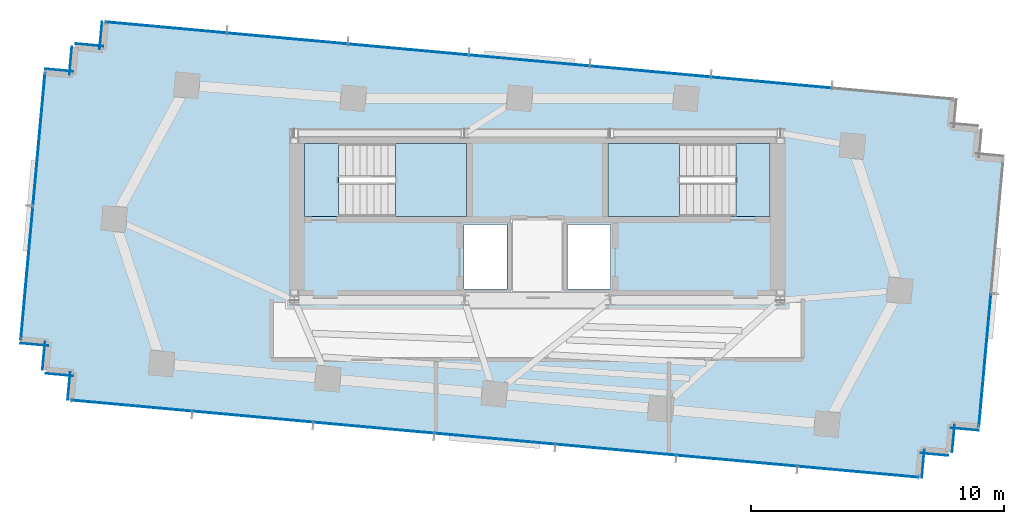
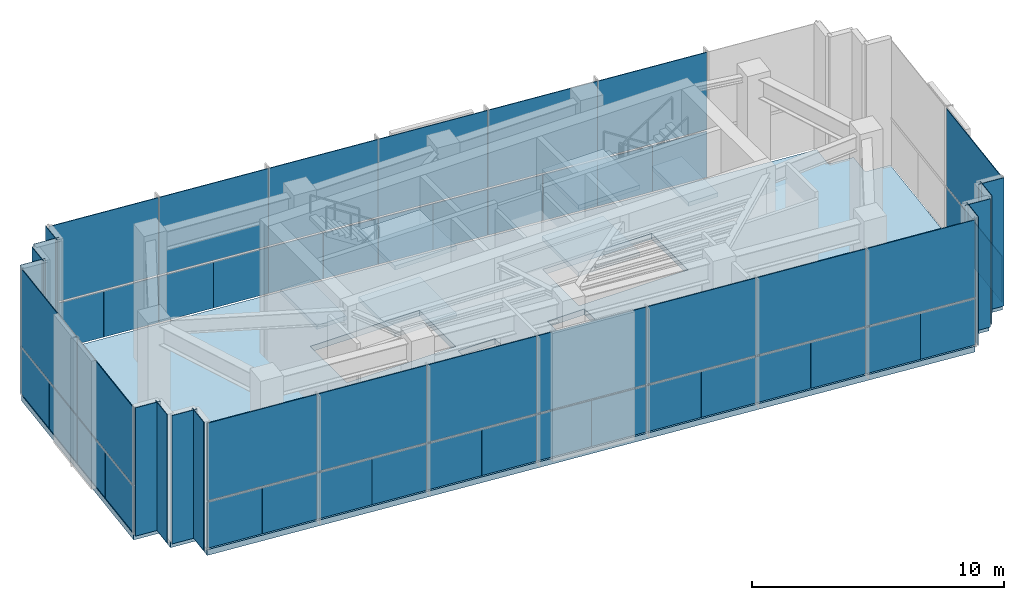
# One storey, part 14 of 18: 60 plates, 7 slabs, 6 elements without a shape of their own.
"""IFC4 building model written with IfcOpenShell, lengths in metres."""

from ifc_helpers import new_model, si_unit, direction, frame, origin, origin_2d, place, context, subcontext, project, spatial, polyline, rectangle, outline, extrude, source, transform, mapped, material, layer, layer_set, type_object, type_shapes, element, aggregate, save


model = new_model("IFC4")

# Units and contexts
model_context = context("Model", 3, precision=1e-05, world=origin(), true_north=direction((0.0, 1.0)))
body_context = subcontext(model_context, "Body", "Model", "MODEL_VIEW")
ifc_project = project(units=[si_unit("LENGTHUNIT", "METRE"), si_unit("AREAUNIT", "SQUARE_METRE"), si_unit("VOLUMEUNIT", "CUBIC_METRE"), si_unit("PLANEANGLEUNIT", "RADIAN"), si_unit("MASSUNIT", "GRAM", prefix="KILO")], contexts=[model_context])

# Site, building, storey
site_placement = place(None, origin())
site = spatial("IfcSite", under=ifc_project, at=site_placement, CompositionType="ELEMENT")
building_placement = place(site_placement, origin())
building = spatial("IfcBuilding", under=site, at=building_placement, Name="Astriad Promenade Condominiums", CompositionType="ELEMENT")
storey_placement = place(building_placement, frame((0.0, 0.0, 277.300048828125)))
storey = spatial("IfcBuildingStorey", under=building, at=storey_placement, Name="L78", CompositionType="ELEMENT", Elevation=277.300048828125)

# Slab
ifc_material_1 = material(Name="Concrete C50/60", Category="concrete")
ifc_layer_1 = layer(ifc_material_1, 0.280029296875)
ifc_layer_set_1 = layer_set([ifc_layer_1], Name="Concrete C50/60")
slab_type_1 = type_object("IfcSlabType", Name="CONCRETE CROWN FLOOR SLAB 280", PredefinedType="FLOOR", material=ifc_layer_set_1)
slab_1_placement = place(storey_placement, frame((0.0, 0.0, -0.280029296875)))
element("IfcSlab", 1, at=slab_1_placement, inside=storey, type_object=slab_type_1, Name="Structural Floor Slab (L78)", PredefinedType="FLOOR", context=body_context, shape_type="SweptSolid", body=[
    extrude(outline(polyline([(17.58935546875, 13.45361328125), (51.051025390625, 10.408203125), (51.15087890625, 11.503662109375), (52.246337890625, 11.404052734375), (52.345947265625, 12.49951171875), (53.44140625, 12.39990234375), (54.402099609375, 22.956298828125), (53.306640625, 23.055908203125), (53.406494140625, 24.1513671875), (52.310791015625, 24.2509765625), (52.41064453125, 25.346435546875), (18.948974609375, 28.391845703125), (18.84912109375, 27.29638671875), (17.753662109375, 27.39599609375), (17.654052734375, 26.300537109375), (16.55859375, 26.400146484375), (15.597900390625, 15.84375), (16.693359375, 15.744140625), (16.593505859375, 14.648681640625), (17.689208984375, 14.549072265625), (17.58935546875, 13.45361328125)]), holes=[polyline([(28.175048828125, 20.699951171875), (33.175048828125, 20.699951171875), (33.175048828125, 23.60009765625), (28.175048828125, 23.60009765625), (28.175048828125, 20.699951171875)]), polyline([(38.824951171875, 20.699951171875), (43.824951171875, 20.699951171875), (43.824951171875, 23.60009765625), (38.824951171875, 23.60009765625), (38.824951171875, 20.699951171875)]), polyline([(33.10009765625, 17.85009765625), (34.800048828125, 17.85009765625), (34.800048828125, 20.39990234375), (33.10009765625, 20.39990234375), (33.10009765625, 17.85009765625)]), polyline([(37.199951171875, 17.85009765625), (38.89990234375, 17.85009765625), (38.89990234375, 20.39990234375), (37.199951171875, 20.39990234375), (37.199951171875, 17.85009765625)])]), origin(), (0.0, 0.0, 1.0), 0.280029296875),
])

# Stair, slabs
stair_type = type_object("IfcStairType", Name="STR-CORE-1350", PredefinedType="HALF_TURN_STAIR", material=ifc_material_1)
stair_1_placement = place(storey_placement, origin())
stair_1 = element("IfcStair", 2, at=stair_1_placement, inside=storey, type_object=stair_type, Name="L78 Enclosed Core Exit Stair ST-1", PredefinedType="HALF_TURN_STAIR")
ifc_layer_2 = layer(ifc_material_1, 0.219970703125)
ifc_layer_set_2 = layer_set([ifc_layer_2], Name="Concrete C50/60")
slab_type_2 = type_object("IfcSlabType", Name="SLB-LANDING-220", PredefinedType="LANDING", material=ifc_layer_set_2)
slab_2_placement = place(storey_placement, frame((0.0, 0.0, 1.425048828125)))
slab_2 = element("IfcSlab", 3, at=slab_2_placement, type_object=slab_type_2, Name="ST-1 landing 1", PredefinedType="LANDING", context=body_context, shape_type="SweptSolid", body=[
    extrude(outline(polyline([(30.389892578125, 20.699951171875), (33.199951171875, 20.699951171875), (33.199951171875, 23.60009765625), (30.389892578125, 23.60009765625), (30.389892578125, 20.699951171875)])), origin(), (0.0, 0.0, 1.0), 0.199951171875),
])
slab_3_placement = place(storey_placement, frame((0.0, 0.0, 3.050048828125)))
slab_3 = element("IfcSlab", 4, at=slab_3_placement, type_object=slab_type_2, Name="ST-1 landing 2", PredefinedType="LANDING", context=body_context, shape_type="SweptSolid", body=[
    extrude(outline(polyline([(26.800048828125, 20.699951171875), (28.14990234375, 20.699951171875), (28.14990234375, 23.60009765625), (26.800048828125, 23.60009765625), (26.800048828125, 20.699951171875)])), origin(), (0.0, 0.0, 1.0), 0.199951171875),
])
slab_4_placement = place(storey_placement, frame((0.0, 0.0, 4.675048828125)))
slab_4 = element("IfcSlab", 5, at=slab_4_placement, type_object=slab_type_2, Name="ST-1 landing 3", PredefinedType="LANDING", context=body_context, shape_type="SweptSolid", body=[
    extrude(outline(polyline([(30.389892578125, 20.699951171875), (33.199951171875, 20.699951171875), (33.199951171875, 23.60009765625), (30.389892578125, 23.60009765625), (30.389892578125, 20.699951171875)])), origin(), (0.0, 0.0, 1.0), 0.199951171875),
])
aggregate(stair_1, [slab_2, slab_3, slab_4])

stair_2_placement = place(storey_placement, origin())
stair_2 = element("IfcStair", 6, at=stair_2_placement, inside=storey, type_object=stair_type, Name="L78 Enclosed Core Exit Stair ST-2", PredefinedType="HALF_TURN_STAIR")
slab_5_placement = place(storey_placement, frame((0.0, 0.0, 1.425048828125)))
slab_5 = element("IfcSlab", 7, at=slab_5_placement, type_object=slab_type_2, Name="ST-2 landing 1", PredefinedType="LANDING", context=body_context, shape_type="SweptSolid", body=[
    extrude(outline(polyline([(41.610107421875, 23.60009765625), (38.800048828125, 23.60009765625), (38.800048828125, 20.699951171875), (41.610107421875, 20.699951171875), (41.610107421875, 23.60009765625)])), origin(), (0.0, 0.0, 1.0), 0.199951171875),
])
slab_6_placement = place(storey_placement, frame((0.0, 0.0, 3.050048828125)))
slab_6 = element("IfcSlab", 8, at=slab_6_placement, type_object=slab_type_2, Name="ST-2 landing 2", PredefinedType="LANDING", context=body_context, shape_type="SweptSolid", body=[
    extrude(outline(polyline([(45.199951171875, 23.60009765625), (43.85009765625, 23.60009765625), (43.85009765625, 20.699951171875), (45.199951171875, 20.699951171875), (45.199951171875, 23.60009765625)])), origin(), (0.0, 0.0, 1.0), 0.199951171875),
])
slab_7_placement = place(storey_placement, frame((0.0, 0.0, 4.675048828125)))
slab_7 = element("IfcSlab", 9, at=slab_7_placement, type_object=slab_type_2, Name="ST-2 landing 3", PredefinedType="LANDING", context=body_context, shape_type="SweptSolid", body=[
    extrude(outline(polyline([(41.610107421875, 23.60009765625), (38.800048828125, 23.60009765625), (38.800048828125, 20.699951171875), (41.610107421875, 20.699951171875), (41.610107421875, 23.60009765625)])), origin(), (0.0, 0.0, 1.0), 0.199951171875),
])
aggregate(stair_2, [slab_5, slab_6, slab_7])

# Curtain wall, plates
ifc_material_2 = material(Name="Anodised aluminium Black Dark Glass Unitised", Category="aluminium")
curtain_wall_type = type_object("IfcCurtainWallType", Name="CW-TMD-LANTERN", PredefinedType="USERDEFINED", material=ifc_material_2)
curtain_wall_1_placement = place(storey_placement, origin())
curtain_wall_1 = element("IfcCurtainWall", 10, at=curtain_wall_1_placement, inside=storey, type_object=curtain_wall_type, Name="CW-CRN-L78-03", ObjectType="UNITISED_CURTAIN_WALL", PredefinedType="USERDEFINED")
ifc_material_3 = material(Name="Translucent Acoustic Fritted Dark Glass", Category="glass")
ifc_layer_3 = layer(ifc_material_3, 0.035888671875)
ifc_layer_set_3 = layer_set([ifc_layer_3], Name="Translucent Acoustic Fritted Dark Glass")
plate_type_1 = type_object("IfcPlateType", Name="PNL-LANTERN-GLOW-36", PredefinedType="CURTAIN_PANEL", material=ifc_layer_set_3)
shared_shape_1 = source(origin(), body_context, "Body", "SweptSolid", [
    extrude(rectangle(XDim=2.637939453125, YDim=0.035888671875, at=origin_2d()), origin(), (0.0, 0.0, 1.0), 2.22998046875),
])
plate_1_placement = place(storey_placement, frame((15.718017578125, 17.163330078125, 0.080078125), z_axis=(0.0, 0.0, 1.0), x_axis=(0.090632580198, 0.995884398616, 0.0)))
plate_1 = element("IfcPlate", 11, at=plate_1_placement, type_object=plate_type_1, Name="CW-CRN-L78-03-PNL-00-VL", PredefinedType="CURTAIN_PANEL", context=body_context, shape_type="MappedRepresentation", body=[
    mapped(shared_shape_1, transform((0.0, 0.0, 0.0), scale=1.0)),
])
plate_2_placement = place(storey_placement, frame((15.9580078125, 19.802490234375, 0.080078125), z_axis=(0.0, 0.0, 1.0), x_axis=(0.090632580198, 0.995884398616, 0.0)))
plate_2 = element("IfcPlate", 12, at=plate_2_placement, type_object=plate_type_1, Name="CW-CRN-L78-03-PNL-00-VR", PredefinedType="CURTAIN_PANEL", context=body_context, shape_type="MappedRepresentation", body=[
    mapped(shared_shape_1, transform((0.0, 0.0, 0.0), scale=1.0)),
])
plate_3_placement = place(storey_placement, frame((16.1982421875, 22.44140625, 0.080078125), z_axis=(0.0, 0.0, 1.0), x_axis=(0.090632580198, 0.995884398616, 0.0)))
plate_3 = element("IfcPlate", 13, at=plate_3_placement, type_object=plate_type_1, Name="CW-CRN-L78-03-PNL-01-VL", PredefinedType="CURTAIN_PANEL", context=body_context, shape_type="MappedRepresentation", body=[
    mapped(shared_shape_1, transform((0.0, 0.0, 0.0), scale=1.0)),
])
plate_4_placement = place(storey_placement, frame((16.4384765625, 25.080810546875, 0.080078125), z_axis=(0.0, 0.0, 1.0), x_axis=(0.090632580198, 0.995884398616, 0.0)))
plate_4 = element("IfcPlate", 14, at=plate_4_placement, type_object=plate_type_1, Name="CW-CRN-L78-03-PNL-01-VR", PredefinedType="CURTAIN_PANEL", context=body_context, shape_type="MappedRepresentation", body=[
    mapped(shared_shape_1, transform((0.0, 0.0, 0.0), scale=1.0)),
])

curtain_wall_2_placement = place(storey_placement, origin())
curtain_wall_2 = element("IfcCurtainWall", 15, at=curtain_wall_2_placement, inside=storey, type_object=curtain_wall_type, Name="CW-CRN-L78-13", ObjectType="UNITISED_CURTAIN_WALL", PredefinedType="USERDEFINED")
plate_5_placement = place(storey_placement, frame((53.8017578125, 16.3583984375, 0.080078125), z_axis=(0.0, 0.0, 1.0), x_axis=(-0.090632580198, -0.995884398616, 0.0)))
plate_5 = element("IfcPlate", 16, at=plate_5_placement, type_object=plate_type_1, Name="CW-CRN-L78-13-PNL-01-VL", PredefinedType="CURTAIN_PANEL", context=body_context, shape_type="MappedRepresentation", body=[
    mapped(shared_shape_1, transform((0.0, 0.0, 0.0), scale=1.0)),
])
plate_6_placement = place(storey_placement, frame((53.5615234375, 13.719482421875, 0.080078125), z_axis=(0.0, 0.0, 1.0), x_axis=(-0.090632580198, -0.995884398616, 0.0)))
plate_6 = element("IfcPlate", 17, at=plate_6_placement, type_object=plate_type_1, Name="CW-CRN-L78-13-PNL-01-VR", PredefinedType="CURTAIN_PANEL", context=body_context, shape_type="MappedRepresentation", body=[
    mapped(shared_shape_1, transform((0.0, 0.0, 0.0), scale=1.0)),
])

# Plate
shared_shape_2 = source(origin(), body_context, "Body", "SweptSolid", [
    extrude(rectangle(XDim=5.2880859375, YDim=0.035888671875, at=origin_2d()), origin(), (0.0, 0.0, 1.0), 3.75),
])
plate_7_placement = place(storey_placement, frame((15.837890625, 18.48291015625, 2.389892578125), z_axis=(0.0, 0.0, 1.0), x_axis=(0.090632580198, 0.995884398616, 0.0)))
plate_7 = element("IfcPlate", 18, at=plate_7_placement, type_object=plate_type_1, Name="CW-CRN-L78-03-PNL-00-S", PredefinedType="CURTAIN_PANEL", context=body_context, shape_type="MappedRepresentation", body=[
    mapped(shared_shape_2, transform((0.0, 0.0, 0.0), scale=1.0)),
])

plate_8_placement = place(storey_placement, frame((16.318359375, 23.760986328125, 2.389892578125), z_axis=(0.0, 0.0, 1.0), x_axis=(0.090632580198, 0.995884398616, 0.0)))
plate_8 = element("IfcPlate", 19, at=plate_8_placement, type_object=plate_type_1, Name="CW-CRN-L78-03-PNL-01-S", PredefinedType="CURTAIN_PANEL", context=body_context, shape_type="MappedRepresentation", body=[
    mapped(shared_shape_2, transform((0.0, 0.0, 0.0), scale=1.0)),
])

aggregate(curtain_wall_1, [plate_1, plate_2, plate_7, plate_3, plate_4, plate_8])

plate_9_placement = place(storey_placement, frame((53.681640625, 15.038818359375, 2.389892578125), z_axis=(0.0, 0.0, 1.0), x_axis=(-0.090632580198, -0.995884398616, 0.0)))
plate_9 = element("IfcPlate", 20, at=plate_9_placement, type_object=plate_type_1, Name="CW-CRN-L78-13-PNL-01-S", PredefinedType="CURTAIN_PANEL", context=body_context, shape_type="MappedRepresentation", body=[
    mapped(shared_shape_2, transform((0.0, 0.0, 0.0), scale=1.0)),
])

aggregate(curtain_wall_2, [plate_5, plate_6, plate_9])

# Plates
ifc_material_4 = material(Name="Powder-Coated White Aluminium Cladding Sheet", Category="aluminium")
ifc_layer_4 = layer(ifc_material_4, 0.01806640625)
ifc_layer_set_4 = layer_set([ifc_layer_4], Name="Powder-Coated White Aluminium Cladding Sheet")
plate_type_2 = type_object("IfcPlateType", Name="PNL-CROWN-RING-18", PredefinedType="SHEET", material=ifc_layer_set_4)
shared_shape_3 = source(origin(), body_context, "Body", "SweptSolid", [
    extrude(rectangle(XDim=1.10009765625, YDim=0.02490234375, at=origin_2d()), origin(), (0.0, 0.0, 1.0), 6.219970703125),
])
for number, where, z_axis, x_axis, name in (
    (21, (17.128662109375, 14.45947265625, 0.0), (0.0, 0.0, 1.0), (-0.995884398616, 0.090632580198, 0.0), "PLT-CRN-L78-00"),
    (22, (16.1328125, 15.654541015625, 0.0), (0.0, 0.0, 1.0), (-0.995884398616, 0.090632580198, 0.0), "PLT-CRN-L78-02"),
    (23, (17.118896484375, 26.48974609375, 0.0), (0.0, 0.0, 1.0), (0.995884398616, -0.090632580198, 0.0), "PLT-CRN-L78-04"),
    (24, (17.564453125, 26.861083984375, 0.0), (0.0, 0.0, 1.0), (0.090632580198, 0.995884398616, 0.0), "PLT-CRN-L78-05"),
    (25, (18.314208984375, 27.485595703125, 0.0), (0.0, 0.0, 1.0), (0.995884398616, -0.090632580198, 0.0), "PLT-CRN-L78-06"),
    (26, (18.759521484375, 27.856689453125, 0.0), (0.0, 0.0, 1.0), (0.090632580198, 0.995884398616, 0.0), "PLT-CRN-L78-07"),
    (27, (52.881103515625, 12.310302734375, 0.0), (0.0, 0.0, 1.0), (-0.995884398616, 0.090632580198, 0.0), "PLT-CRN-L78-14"),
    (28, (52.435546875, 11.939208984375, 0.0), (0.0, 0.0, 1.0), (-0.090632580198, -0.995884398616, 0.0), "PLT-CRN-L78-15"),
    (29, (51.685791015625, 11.314453125, 0.0), (0.0, 0.0, 1.0), (-0.995884398616, 0.090632580198, 0.0), "PLT-CRN-L78-16"),
    (30, (51.240234375, 10.943359375, 0.0), (0.0, 0.0, 1.0), (-0.090632580198, -0.995884398616, 0.0), "PLT-CRN-L78-17"),
    (31, (17.5, 14.013916015625, 0.0), (0.0, 0.0, 1.0), (0.090632580198, 0.995884398616, 0.0), "PLT-CRN-L78-19"),
):
    element("IfcPlate", number, at=place(storey_placement, frame(where, z_axis=z_axis, x_axis=x_axis)), inside=storey, type_object=plate_type_2, Name=name, PredefinedType="SHEET", context=body_context, shape_type="MappedRepresentation", body=[
        mapped(shared_shape_3, transform((0.0, 0.0, 0.0), scale=1.0)),
    ])
shared_shape_4 = source(origin(), body_context, "Body", "SweptSolid", [
    extrude(rectangle(XDim=1.099853515625, YDim=0.02490234375, at=origin_2d()), origin(), (0.0, 0.0, 1.0), 6.219970703125),
])
type_shapes(plate_type_2, [shared_shape_3, shared_shape_4])
plate_10_placement = place(storey_placement, frame((16.504150390625, 15.208984375, 0.0), z_axis=(0.0, 0.0, 1.0), x_axis=(0.090649961646, 0.995882816627, 0.0)))
element("IfcPlate", 32, at=plate_10_placement, inside=storey, type_object=plate_type_2, Name="PLT-CRN-L78-01", PredefinedType="SHEET", context=body_context, shape_type="MappedRepresentation", body=[
    mapped(shared_shape_4, transform((0.0, 0.0, 0.0), scale=1.0)),
])

# Curtain wall, plates
curtain_wall_3_placement = place(storey_placement, origin())
curtain_wall_3 = element("IfcCurtainWall", 33, at=curtain_wall_3_placement, inside=storey, type_object=curtain_wall_type, Name="CW-CRN-L78-08", ObjectType="UNITISED_CURTAIN_WALL", PredefinedType="USERDEFINED")
shared_shape_5 = source(origin(), body_context, "Body", "SweptSolid", [
    extrude(rectangle(XDim=2.387939453125, YDim=0.035888671875, at=origin_2d()), origin(), (0.0, 0.0, 1.0), 2.22998046875),
])
plate_11_placement = place(storey_placement, frame((20.143798828125, 28.282958984375, 0.080078125), z_axis=(0.0, 0.0, 1.0), x_axis=(0.995884398616, -0.090632580198, 0.0)))
plate_11 = element("IfcPlate", 34, at=plate_11_placement, type_object=plate_type_1, Name="CW-CRN-L78-08-PNL-00-VL", PredefinedType="CURTAIN_PANEL", context=body_context, shape_type="MappedRepresentation", body=[
    mapped(shared_shape_5, transform((0.0, 0.0, 0.0), scale=1.0)),
])
plate_12_placement = place(storey_placement, frame((22.5341796875, 28.065673828125, 0.080078125), z_axis=(0.0, 0.0, 1.0), x_axis=(0.995884398616, -0.090632580198, 0.0)))
plate_12 = element("IfcPlate", 35, at=plate_12_placement, type_object=plate_type_1, Name="CW-CRN-L78-08-PNL-00-VR", PredefinedType="CURTAIN_PANEL", context=body_context, shape_type="MappedRepresentation", body=[
    mapped(shared_shape_5, transform((0.0, 0.0, 0.0), scale=1.0)),
])
plate_13_placement = place(storey_placement, frame((24.92431640625, 27.847900390625, 0.080078125), z_axis=(0.0, 0.0, 1.0), x_axis=(0.995884398616, -0.090632580198, 0.0)))
plate_13 = element("IfcPlate", 36, at=plate_13_placement, type_object=plate_type_1, Name="CW-CRN-L78-08-PNL-01-VL", PredefinedType="CURTAIN_PANEL", context=body_context, shape_type="MappedRepresentation", body=[
    mapped(shared_shape_5, transform((0.0, 0.0, 0.0), scale=1.0)),
])
plate_14_placement = place(storey_placement, frame((27.314208984375, 27.630615234375, 0.080078125), z_axis=(0.0, 0.0, 1.0), x_axis=(0.995884398616, -0.090632580198, 0.0)))
plate_14 = element("IfcPlate", 37, at=plate_14_placement, type_object=plate_type_1, Name="CW-CRN-L78-08-PNL-01-VR", PredefinedType="CURTAIN_PANEL", context=body_context, shape_type="MappedRepresentation", body=[
    mapped(shared_shape_5, transform((0.0, 0.0, 0.0), scale=1.0)),
])
plate_15_placement = place(storey_placement, frame((29.70458984375, 27.412841796875, 0.080078125), z_axis=(0.0, 0.0, 1.0), x_axis=(0.995884398616, -0.090632580198, 0.0)))
plate_15 = element("IfcPlate", 38, at=plate_15_placement, type_object=plate_type_1, Name="CW-CRN-L78-08-PNL-02-VL", PredefinedType="CURTAIN_PANEL", context=body_context, shape_type="MappedRepresentation", body=[
    mapped(shared_shape_5, transform((0.0, 0.0, 0.0), scale=1.0)),
])
plate_16_placement = place(storey_placement, frame((32.094482421875, 27.195556640625, 0.080078125), z_axis=(0.0, 0.0, 1.0), x_axis=(0.995884398616, -0.090632580198, 0.0)))
plate_16 = element("IfcPlate", 39, at=plate_16_placement, type_object=plate_type_1, Name="CW-CRN-L78-08-PNL-02-VR", PredefinedType="CURTAIN_PANEL", context=body_context, shape_type="MappedRepresentation", body=[
    mapped(shared_shape_5, transform((0.0, 0.0, 0.0), scale=1.0)),
])
plate_17_placement = place(storey_placement, frame((34.484619140625, 26.977783203125, 0.080078125), z_axis=(0.0, 0.0, 1.0), x_axis=(0.995884398616, -0.090632580198, 0.0)))
plate_17 = element("IfcPlate", 40, at=plate_17_placement, type_object=plate_type_1, Name="CW-CRN-L78-08-PNL-03-VL", PredefinedType="CURTAIN_PANEL", context=body_context, shape_type="MappedRepresentation", body=[
    mapped(shared_shape_5, transform((0.0, 0.0, 0.0), scale=1.0)),
])
plate_18_placement = place(storey_placement, frame((36.874755859375, 26.760498046875, 0.080078125), z_axis=(0.0, 0.0, 1.0), x_axis=(0.995884398616, -0.090632580198, 0.0)))
plate_18 = element("IfcPlate", 41, at=plate_18_placement, type_object=plate_type_1, Name="CW-CRN-L78-08-PNL-03-VR", PredefinedType="CURTAIN_PANEL", context=body_context, shape_type="MappedRepresentation", body=[
    mapped(shared_shape_5, transform((0.0, 0.0, 0.0), scale=1.0)),
])
plate_19_placement = place(storey_placement, frame((39.264892578125, 26.542724609375, 0.080078125), z_axis=(0.0, 0.0, 1.0), x_axis=(0.995884398616, -0.090632580198, 0.0)))
plate_19 = element("IfcPlate", 42, at=plate_19_placement, type_object=plate_type_1, Name="CW-CRN-L78-08-PNL-04-VL", PredefinedType="CURTAIN_PANEL", context=body_context, shape_type="MappedRepresentation", body=[
    mapped(shared_shape_5, transform((0.0, 0.0, 0.0), scale=1.0)),
])
plate_20_placement = place(storey_placement, frame((41.655029296875, 26.325439453125, 0.080078125), z_axis=(0.0, 0.0, 1.0), x_axis=(0.995884398616, -0.090632580198, 0.0)))
plate_20 = element("IfcPlate", 43, at=plate_20_placement, type_object=plate_type_1, Name="CW-CRN-L78-08-PNL-04-VR", PredefinedType="CURTAIN_PANEL", context=body_context, shape_type="MappedRepresentation", body=[
    mapped(shared_shape_5, transform((0.0, 0.0, 0.0), scale=1.0)),
])
plate_21_placement = place(storey_placement, frame((44.045166015625, 26.10791015625, 0.080078125), z_axis=(0.0, 0.0, 1.0), x_axis=(0.995884398616, -0.090632580198, 0.0)))
plate_21 = element("IfcPlate", 44, at=plate_21_placement, type_object=plate_type_1, Name="CW-CRN-L78-08-PNL-05-VL", PredefinedType="CURTAIN_PANEL", context=body_context, shape_type="MappedRepresentation", body=[
    mapped(shared_shape_5, transform((0.0, 0.0, 0.0), scale=1.0)),
])
plate_22_placement = place(storey_placement, frame((46.435302734375, 25.890380859375, 0.080078125), z_axis=(0.0, 0.0, 1.0), x_axis=(0.995884398616, -0.090632580198, 0.0)))
plate_22 = element("IfcPlate", 45, at=plate_22_placement, type_object=plate_type_1, Name="CW-CRN-L78-08-PNL-05-VR", PredefinedType="CURTAIN_PANEL", context=body_context, shape_type="MappedRepresentation", body=[
    mapped(shared_shape_5, transform((0.0, 0.0, 0.0), scale=1.0)),
])

curtain_wall_4_placement = place(storey_placement, origin())
curtain_wall_4 = element("IfcCurtainWall", 46, at=curtain_wall_4_placement, inside=storey, type_object=curtain_wall_type, Name="CW-CRN-L78-18", ObjectType="UNITISED_CURTAIN_WALL", PredefinedType="USERDEFINED")
plate_23_placement = place(storey_placement, frame((49.85595703125, 10.51708984375, 0.080078125), z_axis=(0.0, 0.0, 1.0), x_axis=(-0.995884398616, 0.090632580198, 0.0)))
plate_23 = element("IfcPlate", 47, at=plate_23_placement, type_object=plate_type_1, Name="CW-CRN-L78-18-PNL-00-VL", PredefinedType="CURTAIN_PANEL", context=body_context, shape_type="MappedRepresentation", body=[
    mapped(shared_shape_5, transform((0.0, 0.0, 0.0), scale=1.0)),
])
plate_24_placement = place(storey_placement, frame((47.4658203125, 10.734375, 0.080078125), z_axis=(0.0, 0.0, 1.0), x_axis=(-0.995884398616, 0.090632580198, 0.0)))
plate_24 = element("IfcPlate", 48, at=plate_24_placement, type_object=plate_type_1, Name="CW-CRN-L78-18-PNL-00-VR", PredefinedType="CURTAIN_PANEL", context=body_context, shape_type="MappedRepresentation", body=[
    mapped(shared_shape_5, transform((0.0, 0.0, 0.0), scale=1.0)),
])
plate_25_placement = place(storey_placement, frame((45.07568359375, 10.951904296875, 0.080078125), z_axis=(0.0, 0.0, 1.0), x_axis=(-0.995884398616, 0.090632580198, 0.0)))
plate_25 = element("IfcPlate", 49, at=plate_25_placement, type_object=plate_type_1, Name="CW-CRN-L78-18-PNL-01-VL", PredefinedType="CURTAIN_PANEL", context=body_context, shape_type="MappedRepresentation", body=[
    mapped(shared_shape_5, transform((0.0, 0.0, 0.0), scale=1.0)),
])
plate_26_placement = place(storey_placement, frame((42.685791015625, 11.16943359375, 0.080078125), z_axis=(0.0, 0.0, 1.0), x_axis=(-0.995884398616, 0.090632580198, 0.0)))
plate_26 = element("IfcPlate", 50, at=plate_26_placement, type_object=plate_type_1, Name="CW-CRN-L78-18-PNL-01-VR", PredefinedType="CURTAIN_PANEL", context=body_context, shape_type="MappedRepresentation", body=[
    mapped(shared_shape_5, transform((0.0, 0.0, 0.0), scale=1.0)),
])
plate_27_placement = place(storey_placement, frame((40.29541015625, 11.38720703125, 0.080078125), z_axis=(0.0, 0.0, 1.0), x_axis=(-0.995884398616, 0.090632580198, 0.0)))
plate_27 = element("IfcPlate", 51, at=plate_27_placement, type_object=plate_type_1, Name="CW-CRN-L78-18-PNL-02-VL", PredefinedType="CURTAIN_PANEL", context=body_context, shape_type="MappedRepresentation", body=[
    mapped(shared_shape_5, transform((0.0, 0.0, 0.0), scale=1.0)),
])
plate_28_placement = place(storey_placement, frame((37.905517578125, 11.6044921875, 0.080078125), z_axis=(0.0, 0.0, 1.0), x_axis=(-0.995884398616, 0.090632580198, 0.0)))
plate_28 = element("IfcPlate", 52, at=plate_28_placement, type_object=plate_type_1, Name="CW-CRN-L78-18-PNL-02-VR", PredefinedType="CURTAIN_PANEL", context=body_context, shape_type="MappedRepresentation", body=[
    mapped(shared_shape_5, transform((0.0, 0.0, 0.0), scale=1.0)),
])
plate_29_placement = place(storey_placement, frame((35.515380859375, 11.822021484375, 0.080078125), z_axis=(0.0, 0.0, 1.0), x_axis=(-0.995884398616, 0.090632580198, 0.0)))
plate_29 = element("IfcPlate", 53, at=plate_29_placement, type_object=plate_type_1, Name="CW-CRN-L78-18-PNL-03-VL", PredefinedType="CURTAIN_PANEL", context=body_context, shape_type="MappedRepresentation", body=[
    mapped(shared_shape_5, transform((0.0, 0.0, 0.0), scale=1.0)),
])
plate_30_placement = place(storey_placement, frame((33.125244140625, 12.03955078125, 0.080078125), z_axis=(0.0, 0.0, 1.0), x_axis=(-0.995884398616, 0.090632580198, 0.0)))
plate_30 = element("IfcPlate", 54, at=plate_30_placement, type_object=plate_type_1, Name="CW-CRN-L78-18-PNL-03-VR", PredefinedType="CURTAIN_PANEL", context=body_context, shape_type="MappedRepresentation", body=[
    mapped(shared_shape_5, transform((0.0, 0.0, 0.0), scale=1.0)),
])
plate_31_placement = place(storey_placement, frame((30.735107421875, 12.257080078125, 0.080078125), z_axis=(0.0, 0.0, 1.0), x_axis=(-0.995884398616, 0.090632580198, 0.0)))
plate_31 = element("IfcPlate", 55, at=plate_31_placement, type_object=plate_type_1, Name="CW-CRN-L78-18-PNL-04-VL", PredefinedType="CURTAIN_PANEL", context=body_context, shape_type="MappedRepresentation", body=[
    mapped(shared_shape_5, transform((0.0, 0.0, 0.0), scale=1.0)),
])
plate_32_placement = place(storey_placement, frame((28.344970703125, 12.474609375, 0.080078125), z_axis=(0.0, 0.0, 1.0), x_axis=(-0.995884398616, 0.090632580198, 0.0)))
plate_32 = element("IfcPlate", 56, at=plate_32_placement, type_object=plate_type_1, Name="CW-CRN-L78-18-PNL-04-VR", PredefinedType="CURTAIN_PANEL", context=body_context, shape_type="MappedRepresentation", body=[
    mapped(shared_shape_5, transform((0.0, 0.0, 0.0), scale=1.0)),
])
plate_33_placement = place(storey_placement, frame((25.954833984375, 12.692138671875, 0.080078125), z_axis=(0.0, 0.0, 1.0), x_axis=(-0.995884398616, 0.090632580198, 0.0)))
plate_33 = element("IfcPlate", 57, at=plate_33_placement, type_object=plate_type_1, Name="CW-CRN-L78-18-PNL-05-VL", PredefinedType="CURTAIN_PANEL", context=body_context, shape_type="MappedRepresentation", body=[
    mapped(shared_shape_5, transform((0.0, 0.0, 0.0), scale=1.0)),
])
plate_34_placement = place(storey_placement, frame((23.564697265625, 12.90966796875, 0.080078125), z_axis=(0.0, 0.0, 1.0), x_axis=(-0.995884398616, 0.090632580198, 0.0)))
plate_34 = element("IfcPlate", 58, at=plate_34_placement, type_object=plate_type_1, Name="CW-CRN-L78-18-PNL-05-VR", PredefinedType="CURTAIN_PANEL", context=body_context, shape_type="MappedRepresentation", body=[
    mapped(shared_shape_5, transform((0.0, 0.0, 0.0), scale=1.0)),
])
plate_35_placement = place(storey_placement, frame((21.174560546875, 13.127197265625, 0.080078125), z_axis=(0.0, 0.0, 1.0), x_axis=(-0.995884398616, 0.090632580198, 0.0)))
plate_35 = element("IfcPlate", 59, at=plate_35_placement, type_object=plate_type_1, Name="CW-CRN-L78-18-PNL-06-VL", PredefinedType="CURTAIN_PANEL", context=body_context, shape_type="MappedRepresentation", body=[
    mapped(shared_shape_5, transform((0.0, 0.0, 0.0), scale=1.0)),
])
plate_36_placement = place(storey_placement, frame((18.784423828125, 13.3447265625, 0.080078125), z_axis=(0.0, 0.0, 1.0), x_axis=(-0.995884398616, 0.090632580198, 0.0)))
plate_36 = element("IfcPlate", 60, at=plate_36_placement, type_object=plate_type_1, Name="CW-CRN-L78-18-PNL-06-VR", PredefinedType="CURTAIN_PANEL", context=body_context, shape_type="MappedRepresentation", body=[
    mapped(shared_shape_5, transform((0.0, 0.0, 0.0), scale=1.0)),
])

# Plate
shared_shape_6 = source(origin(), body_context, "Body", "SweptSolid", [
    extrude(rectangle(XDim=4.7880859375, YDim=0.035888671875, at=origin_2d()), origin(), (0.0, 0.0, 1.0), 3.75),
])
type_shapes(plate_type_1, [shared_shape_1, shared_shape_2, shared_shape_5, shared_shape_6])
plate_37_placement = place(storey_placement, frame((21.339111328125, 28.17431640625, 2.389892578125), z_axis=(0.0, 0.0, 1.0), x_axis=(0.995884398616, -0.090632580198, 0.0)))
plate_37 = element("IfcPlate", 61, at=plate_37_placement, type_object=plate_type_1, Name="CW-CRN-L78-08-PNL-00-S", PredefinedType="CURTAIN_PANEL", context=body_context, shape_type="MappedRepresentation", body=[
    mapped(shared_shape_6, transform((0.0, 0.0, 0.0), scale=1.0)),
])

plate_38_placement = place(storey_placement, frame((26.119384765625, 27.7392578125, 2.389892578125), z_axis=(0.0, 0.0, 1.0), x_axis=(0.995884398616, -0.090632580198, 0.0)))
plate_38 = element("IfcPlate", 62, at=plate_38_placement, type_object=plate_type_1, Name="CW-CRN-L78-08-PNL-01-S", PredefinedType="CURTAIN_PANEL", context=body_context, shape_type="MappedRepresentation", body=[
    mapped(shared_shape_6, transform((0.0, 0.0, 0.0), scale=1.0)),
])

plate_39_placement = place(storey_placement, frame((30.8994140625, 27.30419921875, 2.389892578125), z_axis=(0.0, 0.0, 1.0), x_axis=(0.995884398616, -0.090632580198, 0.0)))
plate_39 = element("IfcPlate", 63, at=plate_39_placement, type_object=plate_type_1, Name="CW-CRN-L78-08-PNL-02-S", PredefinedType="CURTAIN_PANEL", context=body_context, shape_type="MappedRepresentation", body=[
    mapped(shared_shape_6, transform((0.0, 0.0, 0.0), scale=1.0)),
])

plate_40_placement = place(storey_placement, frame((35.6796875, 26.869140625, 2.389892578125), z_axis=(0.0, 0.0, 1.0), x_axis=(0.995884398616, -0.090632580198, 0.0)))
plate_40 = element("IfcPlate", 64, at=plate_40_placement, type_object=plate_type_1, Name="CW-CRN-L78-08-PNL-03-S", PredefinedType="CURTAIN_PANEL", context=body_context, shape_type="MappedRepresentation", body=[
    mapped(shared_shape_6, transform((0.0, 0.0, 0.0), scale=1.0)),
])

plate_41_placement = place(storey_placement, frame((40.4599609375, 26.43408203125, 2.389892578125), z_axis=(0.0, 0.0, 1.0), x_axis=(0.995884398616, -0.090632580198, 0.0)))
plate_41 = element("IfcPlate", 65, at=plate_41_placement, type_object=plate_type_1, Name="CW-CRN-L78-08-PNL-04-S", PredefinedType="CURTAIN_PANEL", context=body_context, shape_type="MappedRepresentation", body=[
    mapped(shared_shape_6, transform((0.0, 0.0, 0.0), scale=1.0)),
])

plate_42_placement = place(storey_placement, frame((45.240234375, 25.9990234375, 2.389892578125), z_axis=(0.0, 0.0, 1.0), x_axis=(0.995884398616, -0.090632580198, 0.0)))
plate_42 = element("IfcPlate", 66, at=plate_42_placement, type_object=plate_type_1, Name="CW-CRN-L78-08-PNL-05-S", PredefinedType="CURTAIN_PANEL", context=body_context, shape_type="MappedRepresentation", body=[
    mapped(shared_shape_6, transform((0.0, 0.0, 0.0), scale=1.0)),
])

aggregate(curtain_wall_3, [plate_11, plate_12, plate_37, plate_13, plate_14, plate_38, plate_15, plate_16, plate_39, plate_17, plate_18, plate_40, plate_19, plate_20, plate_41, plate_21, plate_22, plate_42])

plate_43_placement = place(storey_placement, frame((48.660888671875, 10.625732421875, 2.389892578125), z_axis=(0.0, 0.0, 1.0), x_axis=(-0.995884398616, 0.090632580198, 0.0)))
plate_43 = element("IfcPlate", 67, at=plate_43_placement, type_object=plate_type_1, Name="CW-CRN-L78-18-PNL-00-S", PredefinedType="CURTAIN_PANEL", context=body_context, shape_type="MappedRepresentation", body=[
    mapped(shared_shape_6, transform((0.0, 0.0, 0.0), scale=1.0)),
])

plate_44_placement = place(storey_placement, frame((43.880615234375, 11.060791015625, 2.389892578125), z_axis=(0.0, 0.0, 1.0), x_axis=(-0.995884398616, 0.090632580198, 0.0)))
plate_44 = element("IfcPlate", 68, at=plate_44_placement, type_object=plate_type_1, Name="CW-CRN-L78-18-PNL-01-S", PredefinedType="CURTAIN_PANEL", context=body_context, shape_type="MappedRepresentation", body=[
    mapped(shared_shape_6, transform((0.0, 0.0, 0.0), scale=1.0)),
])

plate_45_placement = place(storey_placement, frame((39.1005859375, 11.495849609375, 2.389892578125), z_axis=(0.0, 0.0, 1.0), x_axis=(-0.995884398616, 0.090632580198, 0.0)))
plate_45 = element("IfcPlate", 69, at=plate_45_placement, type_object=plate_type_1, Name="CW-CRN-L78-18-PNL-02-S", PredefinedType="CURTAIN_PANEL", context=body_context, shape_type="MappedRepresentation", body=[
    mapped(shared_shape_6, transform((0.0, 0.0, 0.0), scale=1.0)),
])

plate_46_placement = place(storey_placement, frame((34.3203125, 11.930908203125, 2.389892578125), z_axis=(0.0, 0.0, 1.0), x_axis=(-0.995884398616, 0.090632580198, 0.0)))
plate_46 = element("IfcPlate", 70, at=plate_46_placement, type_object=plate_type_1, Name="CW-CRN-L78-18-PNL-03-S", PredefinedType="CURTAIN_PANEL", context=body_context, shape_type="MappedRepresentation", body=[
    mapped(shared_shape_6, transform((0.0, 0.0, 0.0), scale=1.0)),
])

plate_47_placement = place(storey_placement, frame((29.5400390625, 12.365966796875, 2.389892578125), z_axis=(0.0, 0.0, 1.0), x_axis=(-0.995884398616, 0.090632580198, 0.0)))
plate_47 = element("IfcPlate", 71, at=plate_47_placement, type_object=plate_type_1, Name="CW-CRN-L78-18-PNL-04-S", PredefinedType="CURTAIN_PANEL", context=body_context, shape_type="MappedRepresentation", body=[
    mapped(shared_shape_6, transform((0.0, 0.0, 0.0), scale=1.0)),
])

plate_48_placement = place(storey_placement, frame((24.759765625, 12.801025390625, 2.389892578125), z_axis=(0.0, 0.0, 1.0), x_axis=(-0.995884398616, 0.090632580198, 0.0)))
plate_48 = element("IfcPlate", 72, at=plate_48_placement, type_object=plate_type_1, Name="CW-CRN-L78-18-PNL-05-S", PredefinedType="CURTAIN_PANEL", context=body_context, shape_type="MappedRepresentation", body=[
    mapped(shared_shape_6, transform((0.0, 0.0, 0.0), scale=1.0)),
])

plate_49_placement = place(storey_placement, frame((19.9794921875, 13.236083984375, 2.389892578125), z_axis=(0.0, 0.0, 1.0), x_axis=(-0.995884398616, 0.090632580198, 0.0)))
plate_49 = element("IfcPlate", 73, at=plate_49_placement, type_object=plate_type_1, Name="CW-CRN-L78-18-PNL-06-S", PredefinedType="CURTAIN_PANEL", context=body_context, shape_type="MappedRepresentation", body=[
    mapped(shared_shape_6, transform((0.0, 0.0, 0.0), scale=1.0)),
])

aggregate(curtain_wall_4, [plate_23, plate_24, plate_43, plate_25, plate_26, plate_44, plate_27, plate_28, plate_45, plate_29, plate_30, plate_46, plate_31, plate_32, plate_47, plate_33, plate_34, plate_48, plate_35, plate_36, plate_49])

save(model, "model.ifc")
